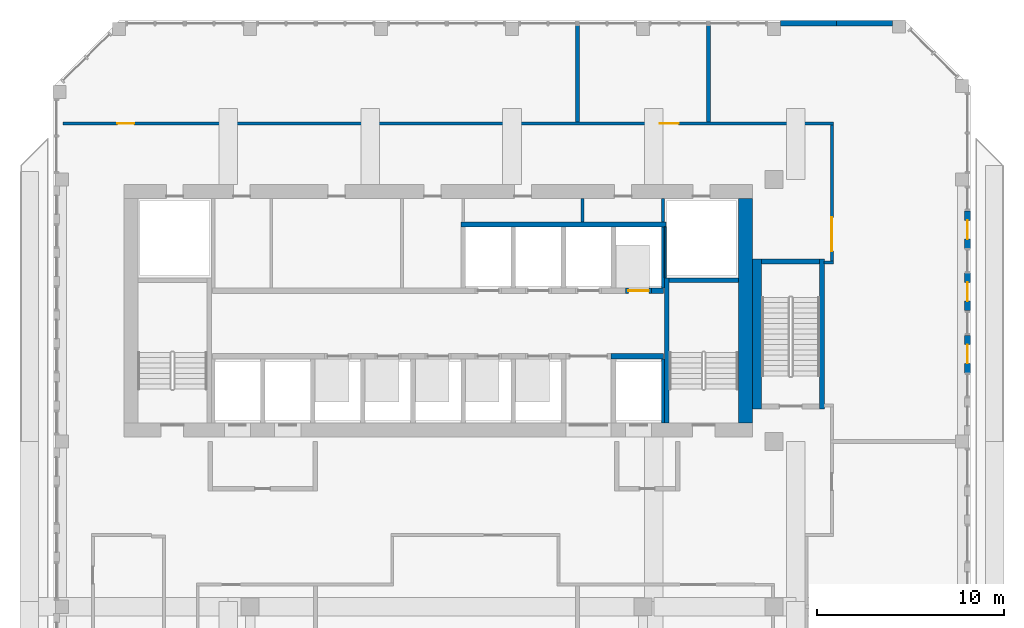
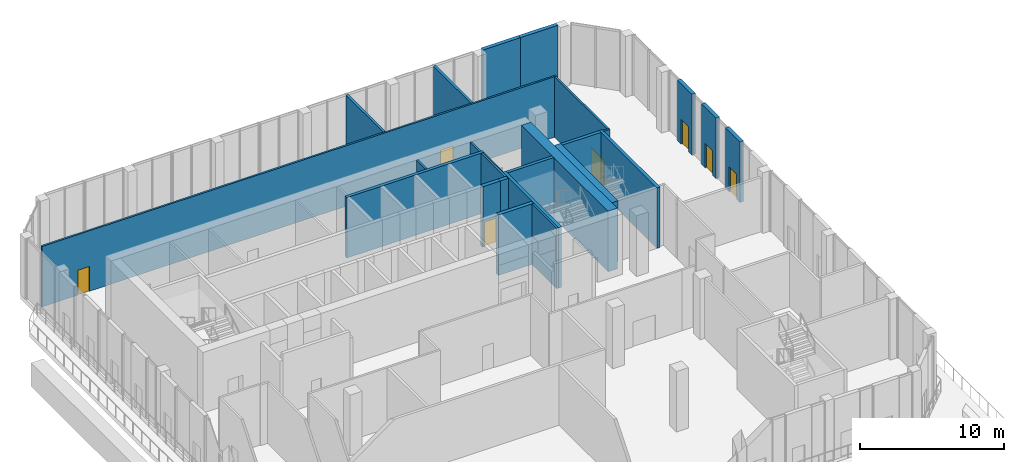
# One storey, part 13 of 18: 25 walls, 7 doors, 7 openings.
"""IFC4 building model written with IfcOpenShell, lengths in metres."""

from ifc_helpers import new_model, si_unit, direction, frame, frame_2d, origin, place, context, subcontext, project, spatial, rectangle, extrude, source, transform, mapped, material, layer, layer_set, type_object, element, fill, save


model = new_model("IFC4")

# Units and contexts
model_context = context("Model", 3, precision=1e-05, world=origin(), true_north=direction((0.0, 1.0)))
body_context = subcontext(model_context, "Body", "Model", "MODEL_VIEW")
ifc_project = project(units=[si_unit("LENGTHUNIT", "METRE"), si_unit("AREAUNIT", "SQUARE_METRE"), si_unit("VOLUMEUNIT", "CUBIC_METRE"), si_unit("PLANEANGLEUNIT", "RADIAN"), si_unit("MASSUNIT", "GRAM", prefix="KILO")], contexts=[model_context])

# Site, building, storey
site_placement = place(None, origin())
site = spatial("IfcSite", under=ifc_project, at=site_placement, CompositionType="ELEMENT")
building_placement = place(site_placement, origin())
building = spatial("IfcBuilding", under=site, at=building_placement, Name="Kilnfold Tower and Market Hall", CompositionType="ELEMENT")
storey_placement = place(building_placement, frame((0.0, 0.0, 233.60009765625)))
storey = spatial("IfcBuildingStorey", under=building, at=storey_placement, Name="L56", CompositionType="ELEMENT", Elevation=233.60009765625)

# Wall, opening, door
ifc_material_1 = material(Name="Gypsum board on steel studs", Category="steel")
ifc_layer_1 = layer(ifc_material_1, 0.14990234375)
ifc_layer_set_1 = layer_set([ifc_layer_1], Name="Gypsum board on steel studs")
wall_type_1 = type_object("IfcWallType", Name="WALL CORRIDOR 150", PredefinedType="PARTITIONING", material=ifc_layer_set_1)
wall_1_placement = place(storey_placement, frame((22.10009765625, 17.64990234375, 0.0), z_axis=(0.0, 0.0, 1.0), x_axis=(0.0, 1.0, 0.0)))
wall_1 = element("IfcWall", 1, at=wall_1_placement, inside=storey, type_object=wall_type_1, Name="Partition LY34.21", PredefinedType="PARTITIONING", context=body_context, shape_type="SweptSolid", body=[
    extrude(rectangle(XDim=7.275146484375, YDim=0.14990234375, at=frame_2d((3.6376953125, 0.0))), origin(), (0.0, 0.0, 1.0), 5.119873046875),
])
opening_1_placement = place(wall_1_placement, frame((0.529052734375, 0.0, 0.0)))
opening_1 = element("IfcOpeningElement", 2, at=opening_1_placement, cuts=wall_1, Name="Opening D5", PredefinedType="OPENING", context=body_context, shape_type="SweptSolid", body=[
    extrude(rectangle(XDim=1.800048828125, YDim=2.10009765625, at=frame_2d((0.89990234375, 1.050048828125))), frame((0.0, 0.0849609375, 0.0), z_axis=(0.0, -1.0, 0.0), x_axis=(1.0, 0.0, 0.0)), (0.0, 0.0, 1.0), 0.169921875),
])
ifc_material_2 = material(Name="Timber veneer door leaf in steel frame", Category="steel")
door_type_1 = type_object("IfcDoorType", Name="DOOR DOUBLE 1800 X2100", OperationType="NOTDEFINED", PredefinedType="DOOR", material=ifc_material_2)
door_1_placement = place(opening_1_placement, origin())
door_1 = element("IfcDoor", 3, at=door_1_placement, inside=storey, type_object=door_type_1, Name="Door D5", OperationType="DOUBLE_DOOR_SINGLE_SWING", OverallHeight=2.10009765625, OverallWidth=1.800048828125, PredefinedType="DOOR", context=body_context, shape_type="SweptSolid", body=[
    extrude(rectangle(XDim=1.800048828125, YDim=2.10009765625, at=frame_2d((0.89990234375, 1.050048828125))), frame((0.0, 0.02490234375, 0.0), z_axis=(0.0, -1.0, 0.0), x_axis=(1.0, 0.0, 0.0)), (0.0, 0.0, 1.0), 0.050048828125),
])
fill(opening_1, door_1)

# Wall
wall_2_placement = place(storey_placement, frame((21.679931640625, 17.574951171875, 0.0), z_axis=(0.0, 0.0, 1.0), x_axis=(1.0, 0.0, 0.0)))
element("IfcWall", 4, at=wall_2_placement, inside=storey, type_object=wall_type_1, Name="Partition LY34.22", PredefinedType="PARTITIONING", context=body_context, shape_type="SweptSolid", body=[
    extrude(rectangle(XDim=0.4951171875, YDim=0.14990234375, at=frame_2d((0.24755859375, 0.0))), origin(), (0.0, 0.0, 1.0), 5.119873046875),
])

# Wall, openings, doors
wall_3_placement = place(storey_placement, frame((-18.9990234375, 25.0, 0.0), z_axis=(0.0, 0.0, 1.0), x_axis=(1.0, 0.0, 0.0)))
wall_3 = element("IfcWall", 5, at=wall_3_placement, inside=storey, type_object=wall_type_1, Name="Partition LY34.25", PredefinedType="PARTITIONING", context=body_context, shape_type="SweptSolid", body=[
    extrude(rectangle(XDim=41.174072265625, YDim=0.14990234375, at=frame_2d((20.5869140625, 0.0))), origin(), (0.0, 0.0, 1.0), 5.119873046875),
])
opening_2_placement = place(wall_3_placement, frame((2.90087890625, 0.0, 0.0)))
opening_2 = element("IfcOpeningElement", 6, at=opening_2_placement, cuts=wall_3, Name="Opening D2", PredefinedType="OPENING", context=body_context, shape_type="SweptSolid", body=[
    extrude(rectangle(XDim=0.89990234375, YDim=2.10009765625, at=frame_2d((0.449951171875, 1.050048828125))), frame((0.0, 0.0849609375, 0.0), z_axis=(0.0, -1.0, 0.0), x_axis=(1.0, 0.0, 0.0)), (0.0, 0.0, 1.0), 0.169921875),
])
opening_3_placement = place(wall_3_placement, frame((31.904052734375, 0.0, 0.0)))
opening_3 = element("IfcOpeningElement", 7, at=opening_3_placement, cuts=wall_3, Name="Opening D4", PredefinedType="OPENING", context=body_context, shape_type="SweptSolid", body=[
    extrude(rectangle(XDim=1.0, YDim=2.10009765625, at=frame_2d((0.5, 1.050048828125))), frame((0.0, 0.0849609375, 0.0), z_axis=(0.0, -1.0, 0.0), x_axis=(1.0, 0.0, 0.0)), (0.0, 0.0, 1.0), 0.169921875),
])
ifc_material_3 = material(Name="Timber veneer door leaf in steel frame", Category="steel")
door_type_2 = type_object("IfcDoorType", Name="DOOR ROOM 900 X2100", OperationType="NOTDEFINED", PredefinedType="DOOR", material=ifc_material_3)
door_2_placement = place(opening_2_placement, origin())
door_2 = element("IfcDoor", 8, at=door_2_placement, inside=storey, type_object=door_type_2, Name="Door D2", OperationType="SINGLE_SWING_RIGHT", OverallHeight=2.10009765625, OverallWidth=0.89990234375, PredefinedType="DOOR", context=body_context, shape_type="SweptSolid", body=[
    extrude(rectangle(XDim=0.89990234375, YDim=2.10009765625, at=frame_2d((0.449951171875, 1.050048828125))), frame((0.0, 0.02490234375, 0.0), z_axis=(0.0, -1.0, 0.0), x_axis=(1.0, 0.0, 0.0)), (0.0, 0.0, 1.0), 0.050048828125),
])
fill(opening_2, door_2)
ifc_material_4 = material(Name="Timber veneer door leaf in steel frame", Category="steel")
door_type_3 = type_object("IfcDoorType", Name="DOOR SERVICE 1000 X2100", OperationType="NOTDEFINED", PredefinedType="DOOR", material=ifc_material_4)
door_3_placement = place(opening_3_placement, origin())
door_3 = element("IfcDoor", 9, at=door_3_placement, inside=storey, type_object=door_type_3, Name="Door D4", OperationType="SINGLE_SWING_LEFT", OverallHeight=2.10009765625, OverallWidth=1.0, PredefinedType="DOOR", context=body_context, shape_type="SweptSolid", body=[
    extrude(rectangle(XDim=1.0, YDim=2.10009765625, at=frame_2d((0.5, 1.050048828125))), frame((0.0, 0.02490234375, 0.0), z_axis=(0.0, -1.0, 0.0), x_axis=(1.0, 0.0, 0.0)), (0.0, 0.0, 1.0), 0.050048828125),
])
fill(opening_3, door_3)

# Walls
ifc_material_5 = material(Name="Gypsum board on steel studs", Category="steel")
ifc_layer_2 = layer(ifc_material_5, 0.199951171875)
ifc_layer_set_2 = layer_set([ifc_layer_2], Name="Gypsum board on steel studs")
wall_type_2 = type_object("IfcWallType", Name="WALL PARTY 200", PredefinedType="PARTITIONING", material=ifc_layer_set_2)
for number, where, z_axis, x_axis, name in (
    (10, (15.5, 30.25, 0.0), (0.0, 0.0, 1.0), (0.0, -1.0, 0.0), "Partition LY34.35"),
    (11, (8.5, 25.076904296875, 0.0), (0.0, 0.0, 1.0), (0.0, 1.0, 0.0), "Partition LY34.36"),
):
    element("IfcWall", number, at=place(storey_placement, frame(where, z_axis=z_axis, x_axis=x_axis)), inside=storey, type_object=wall_type_2, Name=name, PredefinedType="PARTITIONING", context=body_context, shape_type="SweptSolid", body=[
        extrude(rectangle(XDim=5.173095703125, YDim=0.199951171875, at=frame_2d((2.58642578125, 0.0))), origin(), (0.0, 0.0, 1.0), 5.119873046875),
    ])
ifc_material_6 = material(Name="Concrete C60", Category="concrete")
ifc_layer_3 = layer(ifc_material_6, 0.75)
ifc_layer_set_3 = layer_set([ifc_layer_3], Name="Concrete C60")
wall_type_3 = type_object("IfcWallType", Name="CORE WALL 750 C60", PredefinedType="SHEAR", material=ifc_layer_set_3)
shared_shape_1 = source(origin(), body_context, "Body", "SweptSolid", [
    extrude(rectangle(XDim=12.0, YDim=0.75, at=frame_2d((6.0, 0.0))), origin(), (0.0, 0.0, 1.0), 5.119873046875),
])
wall_4_placement = place(storey_placement, frame((17.47509765625, 9.0, 0.0), z_axis=(0.0, 0.0, 1.0), x_axis=(0.0, 1.0, 0.0)))
element("IfcWall", 12, at=wall_4_placement, inside=storey, type_object=wall_type_3, Name="Core outer wall east", PredefinedType="SHEAR", context=body_context, shape_type="MappedRepresentation", body=[
    mapped(shared_shape_1, transform((0.0, 0.0, 0.0))),
])
ifc_material_7 = material(Name="Concrete C60", Category="concrete")
ifc_layer_4 = layer(ifc_material_7, 0.25)
ifc_layer_set_4 = layer_set([ifc_layer_4], Name="Concrete C60")
wall_type_4 = type_object("IfcWallType", Name="CORE WALL 250 C60", PredefinedType="SHEAR", material=ifc_layer_set_4)
shared_shape_2 = source(origin(), body_context, "Body", "SweptSolid", [
    extrude(rectangle(XDim=7.75, YDim=0.25, at=frame_2d((3.875, 0.0))), origin(), (0.0, 0.0, 1.0), 5.119873046875),
])
wall_5_placement = place(storey_placement, frame((13.27490234375, 9.0, 0.0), z_axis=(0.0, 0.0, 1.0), x_axis=(0.0, 1.0, 0.0)))
element("IfcWall", 13, at=wall_5_placement, inside=storey, type_object=wall_type_4, Name="Stair enclosure ST2", PredefinedType="SHEAR", context=body_context, shape_type="MappedRepresentation", body=[
    mapped(shared_shape_2, transform((0.0, 0.0, 0.0))),
])
shared_shape_3 = source(origin(), body_context, "Body", "SweptSolid", [
    extrude(rectangle(XDim=3.7001953125, YDim=0.25, at=frame_2d((1.85009765625, 0.0))), origin(), (0.0, 0.0, 1.0), 5.119873046875),
])
wall_6_placement = place(storey_placement, frame((13.39990234375, 16.625, 0.0), z_axis=(0.0, 0.0, 1.0), x_axis=(1.0, 0.0, 0.0)))
element("IfcWall", 14, at=wall_6_placement, inside=storey, type_object=wall_type_4, Name="Stair enclosure ST2", PredefinedType="SHEAR", context=body_context, shape_type="MappedRepresentation", body=[
    mapped(shared_shape_3, transform((0.0, 0.0, 0.0))),
])
shared_shape_4 = source(origin(), body_context, "Body", "SweptSolid", [
    extrude(rectangle(XDim=8.0, YDim=0.25, at=frame_2d((4.0, 0.0))), origin(), (0.0, 0.0, 1.0), 5.119873046875),
])
wall_7_placement = place(storey_placement, frame((21.574951171875, 9.75, 0.0), z_axis=(0.0, 0.0, 1.0), x_axis=(0.0, 1.0, 0.0)))
element("IfcWall", 15, at=wall_7_placement, inside=storey, type_object=wall_type_4, Name="Stair enclosure ST5", PredefinedType="SHEAR", context=body_context, shape_type="MappedRepresentation", body=[
    mapped(shared_shape_4, transform((0.0, 0.0, 0.0))),
])
ifc_material_8 = material(Name="Concrete C60", Category="concrete")
ifc_layer_5 = layer(ifc_material_8, 0.5)
ifc_layer_set_5 = layer_set([ifc_layer_5], Name="Concrete C60")
wall_type_5 = type_object("IfcWallType", Name="CORE WALL 500 C60", PredefinedType="SHEAR", material=ifc_layer_set_5)
shared_shape_5 = source(origin(), body_context, "Body", "SweptSolid", [
    extrude(rectangle(XDim=8.0, YDim=0.5, at=frame_2d((4.0, 0.0))), origin(), (0.0, 0.0, 1.0), 5.119873046875),
])
wall_8_placement = place(storey_placement, frame((18.10009765625, 9.75, 0.0), z_axis=(0.0, 0.0, 1.0), x_axis=(0.0, 1.0, 0.0)))
element("IfcWall", 16, at=wall_8_placement, inside=storey, type_object=wall_type_5, Name="Stair enclosure ST5", PredefinedType="SHEAR", context=body_context, shape_type="MappedRepresentation", body=[
    mapped(shared_shape_5, transform((0.0, 0.0, 0.0))),
])
shared_shape_6 = source(origin(), body_context, "Body", "SweptSolid", [
    extrude(rectangle(XDim=3.099853515625, YDim=0.25, at=frame_2d((1.5498046875, 0.0))), origin(), (0.0, 0.0, 1.0), 5.119873046875),
])
wall_9_placement = place(storey_placement, frame((18.35009765625, 17.625, 0.0), z_axis=(0.0, 0.0, 1.0), x_axis=(1.0, 0.0, 0.0)))
element("IfcWall", 17, at=wall_9_placement, inside=storey, type_object=wall_type_4, Name="Stair enclosure ST5", PredefinedType="SHEAR", context=body_context, shape_type="MappedRepresentation", body=[
    mapped(shared_shape_6, transform((0.0, 0.0, 0.0))),
])
ifc_material_9 = material(Name="Concrete C60", Category="concrete")
ifc_layer_6 = layer(ifc_material_9, 0.300048828125)
ifc_layer_set_6 = layer_set([ifc_layer_6], Name="Concrete C60")
wall_type_6 = type_object("IfcWallType", Name="CORE WALL 300 C60", PredefinedType="SHEAR", material=ifc_layer_set_6)
shared_shape_7 = source(origin(), body_context, "Body", "SweptSolid", [
    extrude(rectangle(XDim=2.820068359375, YDim=0.300048828125, at=frame_2d((1.41015625, 0.0))), origin(), (0.0, 0.0, 1.0), 5.119873046875),
])
wall_10_placement = place(storey_placement, frame((10.2900390625, 12.550048828125, 0.0), z_axis=(0.0, 0.0, 1.0), x_axis=(1.0, 0.0, 0.0)))
element("IfcWall", 18, at=wall_10_placement, inside=storey, type_object=wall_type_6, Name="Core spine wall", PredefinedType="SHEAR", context=body_context, shape_type="MappedRepresentation", body=[
    mapped(shared_shape_7, transform((0.0, 0.0, 0.0))),
])
shared_shape_8 = source(origin(), body_context, "Body", "SweptSolid", [
    extrude(rectangle(XDim=0.64013671875, YDim=0.300048828125, at=frame_2d((0.320068359375, 0.0))), origin(), (0.0, 0.0, 1.0), 5.119873046875),
])
wall_11_placement = place(storey_placement, frame((12.469970703125, 16.050048828125, 0.0), z_axis=(0.0, 0.0, 1.0), x_axis=(1.0, 0.0, 0.0)))
element("IfcWall", 19, at=wall_11_placement, inside=storey, type_object=wall_type_6, Name="Core spine wall", PredefinedType="SHEAR", context=body_context, shape_type="MappedRepresentation", body=[
    mapped(shared_shape_8, transform((0.0, 0.0, 0.0))),
])

# Wall, opening, door
ifc_material_10 = material(Name="Precast concrete C50/60", Category="concrete")
ifc_layer_7 = layer(ifc_material_10, 0.300048828125)
ifc_layer_set_7 = layer_set([ifc_layer_7], Name="Precast concrete C50/60")
wall_type_7 = type_object("IfcWallType", Name="PRECAST WALL 300", PredefinedType="SOLIDWALL", material=ifc_layer_set_7)
shared_shape_9 = source(origin(), body_context, "Body", "SweptSolid", [
    extrude(rectangle(XDim=2.0, YDim=0.300048828125, at=frame_2d((1.0, 0.0))), origin(), (0.0, 0.0, 1.0), 5.119873046875),
])
wall_12_placement = place(storey_placement, frame((29.35009765625, 11.675048828125, 0.0), z_axis=(0.0, 0.0, 1.0), x_axis=(0.0, 1.0, 0.0)))
wall_12 = element("IfcWall", 20, at=wall_12_placement, inside=storey, type_object=wall_type_7, Name="External wall L56 E", PredefinedType="SOLIDWALL", context=body_context, shape_type="MappedRepresentation", body=[
    mapped(shared_shape_9, transform((0.0, 0.0, 0.0))),
])
opening_4_placement = place(wall_12_placement, frame((0.5, 0.0, 0.0)))
opening_4 = element("IfcOpeningElement", 21, at=opening_4_placement, cuts=wall_12, Name="Opening BD1", PredefinedType="OPENING", context=body_context, shape_type="SweptSolid", body=[
    extrude(rectangle(XDim=1.0, YDim=2.10009765625, at=frame_2d((0.5, 1.050048828125))), frame((0.0, 0.16015625, 0.0), z_axis=(0.0, -1.0, 0.0), x_axis=(1.0, 0.0, 0.0)), (0.0, 0.0, 1.0), 0.320068359375),
])
ifc_material_11 = material(Name="Aluminium frame and double glazing", Category="aluminium")
door_type_4 = type_object("IfcDoorType", Name="BALCONY DOOR 1000X2100", OperationType="NOTDEFINED", PredefinedType="DOOR", material=ifc_material_11)
door_4_placement = place(opening_4_placement, origin())
door_4 = element("IfcDoor", 22, at=door_4_placement, inside=storey, type_object=door_type_4, Name="Balcony door BD1 L56 E-2", OperationType="SINGLE_SWING_RIGHT", OverallHeight=2.10009765625, OverallWidth=1.0, PredefinedType="DOOR", context=body_context, shape_type="SweptSolid", body=[
    extrude(rectangle(XDim=1.0, YDim=2.10009765625, at=frame_2d((0.5, 1.050048828125))), frame((0.0, 0.02490234375, 0.0), z_axis=(0.0, -1.0, 0.0), x_axis=(1.0, 0.0, 0.0)), (0.0, 0.0, 1.0), 0.050048828125),
])
fill(opening_4, door_4)

wall_13_placement = place(storey_placement, frame((29.35009765625, 15.0, 0.0), z_axis=(0.0, 0.0, 1.0), x_axis=(0.0, 1.0, 0.0)))
wall_13 = element("IfcWall", 23, at=wall_13_placement, inside=storey, type_object=wall_type_7, Name="External wall L56 E", PredefinedType="SOLIDWALL", context=body_context, shape_type="MappedRepresentation", body=[
    mapped(shared_shape_9, transform((0.0, 0.0, 0.0))),
])
opening_5_placement = place(wall_13_placement, frame((0.5, 0.0, 0.0)))
opening_5 = element("IfcOpeningElement", 24, at=opening_5_placement, cuts=wall_13, Name="Opening BD1", PredefinedType="OPENING", context=body_context, shape_type="SweptSolid", body=[
    extrude(rectangle(XDim=1.0, YDim=2.10009765625, at=frame_2d((0.5, 1.050048828125))), frame((0.0, 0.16015625, 0.0), z_axis=(0.0, -1.0, 0.0), x_axis=(1.0, 0.0, 0.0)), (0.0, 0.0, 1.0), 0.320068359375),
])
door_5_placement = place(opening_5_placement, origin())
door_5 = element("IfcDoor", 25, at=door_5_placement, inside=storey, type_object=door_type_4, Name="Balcony door BD1 L56 E-3", OperationType="SINGLE_SWING_LEFT", OverallHeight=2.10009765625, OverallWidth=1.0, PredefinedType="DOOR", context=body_context, shape_type="SweptSolid", body=[
    extrude(rectangle(XDim=1.0, YDim=2.10009765625, at=frame_2d((0.5, 1.050048828125))), frame((0.0, 0.02490234375, 0.0), z_axis=(0.0, -1.0, 0.0), x_axis=(1.0, 0.0, 0.0)), (0.0, 0.0, 1.0), 0.050048828125),
])
fill(opening_5, door_5)

wall_14_placement = place(storey_placement, frame((29.35009765625, 18.324951171875, 0.0), z_axis=(0.0, 0.0, 1.0), x_axis=(0.0, 1.0, 0.0)))
wall_14 = element("IfcWall", 26, at=wall_14_placement, inside=storey, type_object=wall_type_7, Name="External wall L56 E", PredefinedType="SOLIDWALL", context=body_context, shape_type="MappedRepresentation", body=[
    mapped(shared_shape_9, transform((0.0, 0.0, 0.0))),
])
opening_6_placement = place(wall_14_placement, frame((0.5, 0.0, 0.0)))
opening_6 = element("IfcOpeningElement", 27, at=opening_6_placement, cuts=wall_14, Name="Opening BD1", PredefinedType="OPENING", context=body_context, shape_type="SweptSolid", body=[
    extrude(rectangle(XDim=1.0, YDim=2.10009765625, at=frame_2d((0.5, 1.050048828125))), frame((0.0, 0.16015625, 0.0), z_axis=(0.0, -1.0, 0.0), x_axis=(1.0, 0.0, 0.0)), (0.0, 0.0, 1.0), 0.320068359375),
])
door_6_placement = place(opening_6_placement, origin())
door_6 = element("IfcDoor", 28, at=door_6_placement, inside=storey, type_object=door_type_4, Name="Balcony door BD1 L56 E-4", OperationType="SINGLE_SWING_RIGHT", OverallHeight=2.10009765625, OverallWidth=1.0, PredefinedType="DOOR", context=body_context, shape_type="SweptSolid", body=[
    extrude(rectangle(XDim=1.0, YDim=2.10009765625, at=frame_2d((0.5, 1.050048828125))), frame((0.0, 0.02490234375, 0.0), z_axis=(0.0, -1.0, 0.0), x_axis=(1.0, 0.0, 0.0)), (0.0, 0.0, 1.0), 0.050048828125),
])
fill(opening_6, door_6)

# Walls
shared_shape_10 = source(origin(), body_context, "Body", "SweptSolid", [
    extrude(rectangle(XDim=2.990966796875, YDim=0.300048828125, at=frame_2d((1.49560546875, 0.0))), origin(), (0.0, 0.0, 1.0), 5.119873046875),
])
wall_15_placement = place(storey_placement, frame((25.331787109375, 30.35009765625, 0.0), z_axis=(0.0, 0.0, 1.0), x_axis=(-1.0, 0.0, 0.0)))
element("IfcWall", 29, at=wall_15_placement, inside=storey, type_object=wall_type_7, Name="External wall L56 N", PredefinedType="SOLIDWALL", context=body_context, shape_type="MappedRepresentation", body=[
    mapped(shared_shape_10, transform((0.0, 0.0, 0.0))),
])
shared_shape_11 = source(origin(), body_context, "Body", "SweptSolid", [
    extrude(rectangle(XDim=2.99072265625, YDim=0.300048828125, at=frame_2d((1.495361328125, 0.0))), origin(), (0.0, 0.0, 1.0), 5.119873046875),
])
wall_16_placement = place(storey_placement, frame((22.3408203125, 30.35009765625, 0.0), z_axis=(0.0, 0.0, 1.0), x_axis=(-1.0, 0.0, 0.0)))
element("IfcWall", 30, at=wall_16_placement, inside=storey, type_object=wall_type_7, Name="External wall L56 N", PredefinedType="SOLIDWALL", context=body_context, shape_type="MappedRepresentation", body=[
    mapped(shared_shape_11, transform((0.0, 0.0, 0.0))),
])

# Wall, opening, door
ifc_material_12 = material(Name="Gypsum shaft wall system")
ifc_layer_8 = layer(ifc_material_12, 0.300048828125)
ifc_layer_set_8 = layer_set([ifc_layer_8], Name="Gypsum shaft wall system")
wall_type_8 = type_object("IfcWallType", Name="SHAFT WALL 300", PredefinedType="PARTITIONING", material=ifc_layer_set_8)
shared_shape_12 = source(origin(), body_context, "Body", "SweptSolid", [
    extrude(rectangle(XDim=1.39990234375, YDim=0.300048828125, at=frame_2d((0.699951171875, 0.0))), origin(), (0.0, 0.0, 1.0), 5.119873046875),
])
wall_17_placement = place(storey_placement, frame((11.070068359375, 16.050048828125, 0.0), z_axis=(0.0, 0.0, 1.0), x_axis=(1.0, 0.0, 0.0)))
wall_17 = element("IfcWall", 31, at=wall_17_placement, inside=storey, type_object=wall_type_8, Name="Lift shaft front wall", PredefinedType="PARTITIONING", context=body_context, shape_type="MappedRepresentation", body=[
    mapped(shared_shape_12, transform((0.0, 0.0, 0.0))),
])
opening_7_placement = place(wall_17_placement, frame((0.14990234375, 0.0, 0.0)))
opening_7 = element("IfcOpeningElement", 32, at=opening_7_placement, cuts=wall_17, Name="Opening LD2", PredefinedType="OPENING", context=body_context, shape_type="SweptSolid", body=[
    extrude(rectangle(XDim=1.10009765625, YDim=2.10009765625, at=frame_2d((0.550048828125, 1.050048828125))), frame((0.0, 0.16015625, 0.0), z_axis=(0.0, -1.0, 0.0), x_axis=(1.0, 0.0, 0.0)), (0.0, 0.0, 1.0), 0.320068359375),
])
ifc_material_13 = material(Name="Steel door set with fire-resisting leaf", Category="steel")
door_type_5 = type_object("IfcDoorType", Name="LANDING DOOR 1100X2100", OperationType="NOTDEFINED", PredefinedType="DOOR", material=ifc_material_13)
door_7_placement = place(opening_7_placement, origin())
door_7 = element("IfcDoor", 33, at=door_7_placement, inside=storey, type_object=door_type_5, Name="Landing door HR6", OperationType="DOUBLE_DOOR_SLIDING", OverallHeight=2.10009765625, OverallWidth=1.10009765625, PredefinedType="DOOR", context=body_context, shape_type="SweptSolid", body=[
    extrude(rectangle(XDim=1.10009765625, YDim=2.10009765625, at=frame_2d((0.550048828125, 1.050048828125))), frame((0.0, 0.02490234375, 0.0), z_axis=(0.0, -1.0, 0.0), x_axis=(1.0, 0.0, 0.0)), (0.0, 0.0, 1.0), 0.050048828125),
])
fill(opening_7, door_7)

# Walls
ifc_material_14 = material(Name="Gypsum shaft wall system")
ifc_layer_9 = layer(ifc_material_14, 0.25)
ifc_layer_set_9 = layer_set([ifc_layer_9], Name="Gypsum shaft wall system")
wall_type_9 = type_object("IfcWallType", Name="SHAFT WALL 250", PredefinedType="PARTITIONING", material=ifc_layer_set_9)
shared_shape_13 = source(origin(), body_context, "Body", "SweptSolid", [
    extrude(rectangle(XDim=10.97021484375, YDim=0.25, at=frame_2d((5.485107421875, 0.0))), origin(), (0.0, 0.0, 1.0), 5.119873046875),
])
wall_18_placement = place(storey_placement, frame((2.264892578125, 19.60009765625, 0.0), z_axis=(0.0, 0.0, 1.0), x_axis=(1.0, 0.0, 0.0)))
element("IfcWall", 34, at=wall_18_placement, inside=storey, type_object=wall_type_9, Name="Lift shaft wall", PredefinedType="PARTITIONING", context=body_context, shape_type="MappedRepresentation", body=[
    mapped(shared_shape_13, transform((0.0, 0.0, 0.0))),
])
ifc_material_15 = material(Name="Gypsum shaft wall system")
ifc_layer_10 = layer(ifc_material_15, 0.1650390625)
ifc_layer_set_10 = layer_set([ifc_layer_10], Name="Gypsum shaft wall system")
wall_type_10 = type_object("IfcWallType", Name="SHAFT WALL 165", PredefinedType="PARTITIONING", material=ifc_layer_set_10)
shared_shape_14 = source(origin(), body_context, "Body", "SweptSolid", [
    extrude(rectangle(XDim=3.275146484375, YDim=0.1650390625, at=frame_2d((1.6376953125, 0.0))), origin(), (0.0, 0.0, 1.0), 5.119873046875),
])
wall_19_placement = place(storey_placement, frame((13.0673828125, 16.199951171875, 0.0), z_axis=(0.0, 0.0, 1.0), x_axis=(0.0, 1.0, 0.0)))
element("IfcWall", 35, at=wall_19_placement, inside=storey, type_object=wall_type_10, Name="Lift shaft wall", PredefinedType="PARTITIONING", context=body_context, shape_type="MappedRepresentation", body=[
    mapped(shared_shape_14, transform((0.0, 0.0, 0.0))),
])
shared_shape_15 = source(origin(), body_context, "Body", "SweptSolid", [
    extrude(rectangle(XDim=1.27490234375, YDim=0.1650390625, at=frame_2d((0.637451171875, 0.0))), origin(), (0.0, 0.0, 1.0), 5.119873046875),
])
wall_20_placement = place(storey_placement, frame((13.0673828125, 19.72509765625, 0.0), z_axis=(0.0, 0.0, 1.0), x_axis=(0.0, 1.0, 0.0)))
element("IfcWall", 36, at=wall_20_placement, inside=storey, type_object=wall_type_10, Name="Lift shaft wall", PredefinedType="PARTITIONING", context=body_context, shape_type="MappedRepresentation", body=[
    mapped(shared_shape_15, transform((0.0, 0.0, 0.0))),
])
ifc_material_16 = material(Name="Gypsum shaft wall system")
ifc_layer_11 = layer(ifc_material_16, 0.0849609375)
ifc_layer_set_11 = layer_set([ifc_layer_11], Name="Gypsum shaft wall system")
wall_type_11 = type_object("IfcWallType", Name="SHAFT WALL 85", PredefinedType="PARTITIONING", material=ifc_layer_set_11)
shared_shape_16 = source(origin(), body_context, "Body", "SweptSolid", [
    extrude(rectangle(XDim=2.72509765625, YDim=0.0849609375, at=frame_2d((1.362548828125, 0.0))), origin(), (0.0, 0.0, 1.0), 5.119873046875),
])
wall_21_placement = place(storey_placement, frame((13.1923828125, 16.75, 0.0), z_axis=(0.0, 0.0, 1.0), x_axis=(0.0, 1.0, 0.0)))
element("IfcWall", 37, at=wall_21_placement, inside=storey, type_object=wall_type_11, Name="Lift shaft wall", PredefinedType="PARTITIONING", context=body_context, shape_type="MappedRepresentation", body=[
    mapped(shared_shape_16, transform((0.0, 0.0, 0.0))),
])
shared_shape_17 = source(origin(), body_context, "Body", "SweptSolid", [
    extrude(rectangle(XDim=3.39990234375, YDim=0.1650390625, at=frame_2d((1.699951171875, 0.0))), origin(), (0.0, 0.0, 1.0), 5.119873046875),
])
wall_22_placement = place(storey_placement, frame((13.0673828125, 9.0, 0.0), z_axis=(0.0, 0.0, 1.0), x_axis=(0.0, 1.0, 0.0)))
element("IfcWall", 38, at=wall_22_placement, inside=storey, type_object=wall_type_10, Name="Lift shaft wall", PredefinedType="PARTITIONING", context=body_context, shape_type="MappedRepresentation", body=[
    mapped(shared_shape_17, transform((0.0, 0.0, 0.0))),
])
ifc_material_17 = material(Name="Gypsum shaft wall system")
ifc_layer_12 = layer(ifc_material_17, 0.14990234375)
ifc_layer_set_12 = layer_set([ifc_layer_12], Name="Gypsum shaft wall system")
wall_type_12 = type_object("IfcWallType", Name="ROOM WALL 150", PredefinedType="PARTITIONING", material=ifc_layer_set_12)
shared_shape_18 = source(origin(), body_context, "Body", "SweptSolid", [
    extrude(rectangle(XDim=1.27490234375, YDim=0.14990234375, at=frame_2d((0.637451171875, 0.0))), origin(), (0.0, 0.0, 1.0), 5.119873046875),
])
wall_23_placement = place(storey_placement, frame((8.768310546875, 19.72509765625, 0.0), z_axis=(0.0, 0.0, 1.0), x_axis=(0.0, 1.0, 0.0)))
element("IfcWall", 39, at=wall_23_placement, inside=storey, type_object=wall_type_12, Name="Core room wall", PredefinedType="PARTITIONING", context=body_context, shape_type="MappedRepresentation", body=[
    mapped(shared_shape_18, transform((0.0, 0.0, 0.0))),
])

save(model, "model.ifc")
